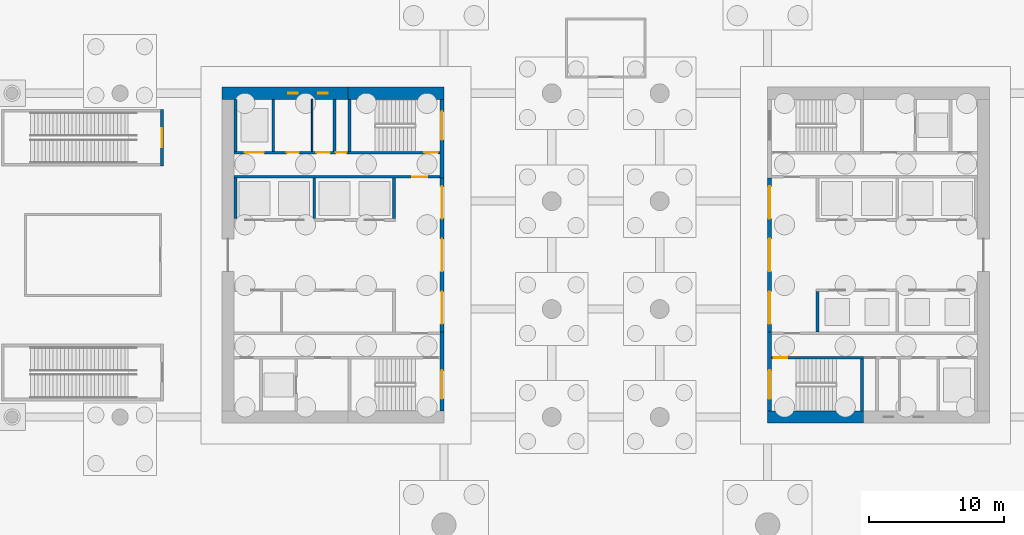
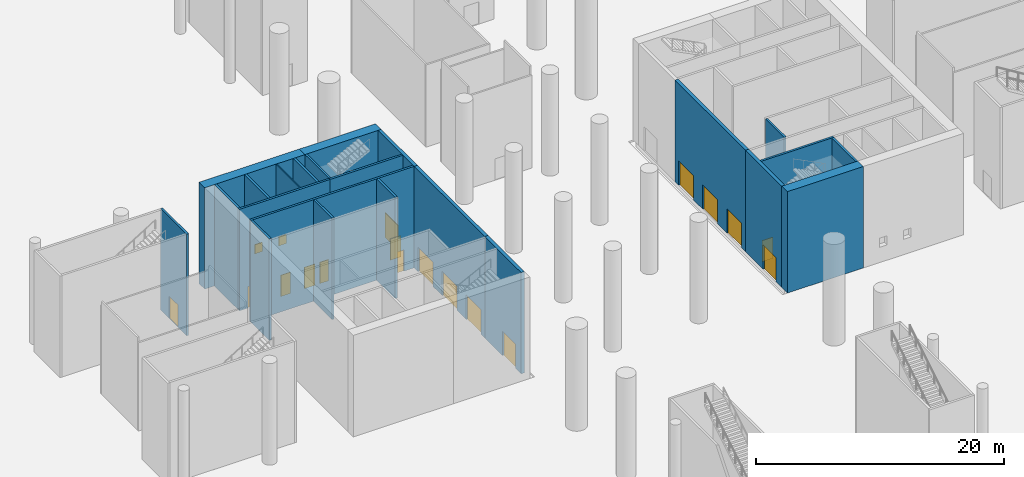
# One storey, part 5 of 14: 23 walls, 17 doors, 2 windows, 19 openings.
"""IFC4 building model written with IfcOpenShell, lengths in metres."""

from ifc_helpers import new_model, si_unit, direction, frame, frame_2d, origin, place, context, subcontext, project, spatial, rectangle, extrude, material, layer, layer_set, constituent, constituent_set, type_object, element, fill, save


model = new_model("IFC4")

# Units and contexts
model_context = context("Model", 3, precision=1e-05, world=origin(), true_north=direction((0.0, 1.0)))
body_context = subcontext(model_context, "Body", "Model", "MODEL_VIEW")
ifc_project = project(units=[si_unit("LENGTHUNIT", "METRE"), si_unit("AREAUNIT", "SQUARE_METRE"), si_unit("VOLUMEUNIT", "CUBIC_METRE"), si_unit("PLANEANGLEUNIT", "RADIAN"), si_unit("MASSUNIT", "GRAM", prefix="KILO")], contexts=[model_context])

# Site, building, storey
site_placement = place(None, origin())
site = spatial("IfcSite", under=ifc_project, at=site_placement, CompositionType="ELEMENT")
building_placement = place(site_placement, origin())
building = spatial("IfcBuilding", under=site, at=building_placement, Name="Crosswind Convention Tower", CompositionType="ELEMENT")
storey_placement = place(building_placement, origin())
storey = spatial("IfcBuildingStorey", under=building, at=storey_placement, Name="L00", CompositionType="ELEMENT", Elevation=0.0)

# Wall
ifc_material_1 = material(Name="Concrete blockwork", Category="masonry")
ifc_layer_1 = layer(ifc_material_1, 0.199951171875)
ifc_layer_set_1 = layer_set([ifc_layer_1], Name="Blockwork partition wall 200")
wall_type_1 = type_object("IfcWallType", Name="Blockwork partition wall 200", PredefinedType="PARTITIONING", material=ifc_layer_set_1)
wall_1_placement = place(storey_placement, frame((104.89990234375, 111.550048828125, 0.0), z_axis=(0.0, 0.0, 1.0), x_axis=(0.0, -1.0, 0.0)))
element("IfcWall", 1, at=wall_1_placement, inside=storey, type_object=wall_type_1, Name="Wall MRSE W L00", PredefinedType="PARTITIONING", context=body_context, shape_type="SweptSolid", body=[
    extrude(rectangle(XDim=3.85009765625, YDim=0.199951171875, at=frame_2d((1.925048828125, 0.0))), origin(), (0.0, 0.0, 1.0), 10.0),
])

# Wall, openings, doors
ifc_material_2 = material(Name="Concrete C50/60", Category="concrete")
ifc_layer_2 = layer(ifc_material_2, 0.300048828125)
ifc_layer_set_2 = layer_set([ifc_layer_2], Name="Concrete C50/60")
wall_type_2 = type_object("IfcWallType", Name="Concrete inner core wall 300", PredefinedType="SHEAR", material=ifc_layer_set_2)
wall_2_placement = place(storey_placement, frame((137.14990234375, 94.300048828125, 0.0), z_axis=(0.0, 0.0, 1.0), x_axis=(0.0, 1.0, 0.0)))
wall_2 = element("IfcWall", 2, at=wall_2_placement, inside=storey, type_object=wall_type_2, Name="Wall SCR E L00", PredefinedType="SHEAR", context=body_context, shape_type="SweptSolid", body=[
    extrude(rectangle(XDim=11.39990234375, YDim=0.300048828125, at=frame_2d((5.699951171875, 0.0))), origin(), (0.0, 0.0, 1.0), 10.0),
])
opening_1_placement = place(wall_2_placement, frame((0.60009765625, 0.0, 0.0)))
opening_1 = element("IfcOpeningElement", 3, at=opening_1_placement, cuts=wall_2, Name="Opening D100", PredefinedType="OPENING", context=body_context, shape_type="SweptSolid", body=[
    extrude(rectangle(XDim=2.39990234375, YDim=2.39990234375, at=frame_2d((1.199951171875, 1.199951171875))), frame((0.0, 0.159912109375, 0.0), z_axis=(0.0, -1.0, 0.0), x_axis=(1.0, 0.0, 0.0)), (0.0, 0.0, 1.0), 0.320068359375),
])
opening_2_placement = place(wall_2_placement, frame((4.5, 0.0, 0.0)))
opening_2 = element("IfcOpeningElement", 4, at=opening_2_placement, cuts=wall_2, Name="Opening D100", PredefinedType="OPENING", context=body_context, shape_type="SweptSolid", body=[
    extrude(rectangle(XDim=2.39990234375, YDim=2.39990234375, at=frame_2d((1.199951171875, 1.199951171875))), frame((0.0, 0.159912109375, 0.0), z_axis=(0.0, -1.0, 0.0), x_axis=(1.0, 0.0, 0.0)), (0.0, 0.0, 1.0), 0.320068359375),
])
opening_3_placement = place(wall_2_placement, frame((8.39990234375, 0.0, 0.0)))
opening_3 = element("IfcOpeningElement", 5, at=opening_3_placement, cuts=wall_2, Name="Opening D100", PredefinedType="OPENING", context=body_context, shape_type="SweptSolid", body=[
    extrude(rectangle(XDim=2.39990234375, YDim=2.39990234375, at=frame_2d((1.199951171875, 1.199951171875))), frame((0.0, 0.159912109375, 0.0), z_axis=(0.0, -1.0, 0.0), x_axis=(1.0, 0.0, 0.0)), (0.0, 0.0, 1.0), 0.320068359375),
])
ifc_material_3 = material(Name="Steel fire door with glazed vision panels", Category="steel")
door_type_1 = type_object("IfcDoorType", Name="Fire-rated double door 2400x2400", OperationType="DOUBLE_DOOR_SINGLE_SWING", PredefinedType="DOOR", material=ifc_material_3)
door_1_placement = place(opening_1_placement, origin())
door_1 = element("IfcDoor", 6, at=door_1_placement, inside=storey, type_object=door_type_1, Name="Lobby door 1 L00", ObjectType="D100", OperationType="DOUBLE_DOOR_SINGLE_SWING", OverallHeight=2.39990234375, OverallWidth=2.39990234375, PredefinedType="DOOR", context=body_context, shape_type="SweptSolid", body=[
    extrude(rectangle(XDim=2.39990234375, YDim=2.39990234375, at=frame_2d((1.199951171875, 1.199951171875))), frame((0.0, 0.02490234375, 0.0), z_axis=(0.0, -1.0, 0.0), x_axis=(1.0, 0.0, 0.0)), (0.0, 0.0, 1.0), 0.050048828125),
])
fill(opening_1, door_1)
door_2_placement = place(opening_2_placement, origin())
door_2 = element("IfcDoor", 7, at=door_2_placement, inside=storey, type_object=door_type_1, Name="Lobby door 2 L00", ObjectType="D100", OperationType="DOUBLE_DOOR_SINGLE_SWING", OverallHeight=2.39990234375, OverallWidth=2.39990234375, PredefinedType="DOOR", context=body_context, shape_type="SweptSolid", body=[
    extrude(rectangle(XDim=2.39990234375, YDim=2.39990234375, at=frame_2d((1.199951171875, 1.199951171875))), frame((0.0, 0.02490234375, 0.0), z_axis=(0.0, -1.0, 0.0), x_axis=(1.0, 0.0, 0.0)), (0.0, 0.0, 1.0), 0.050048828125),
])
fill(opening_2, door_2)
door_3_placement = place(opening_3_placement, origin())
door_3 = element("IfcDoor", 8, at=door_3_placement, inside=storey, type_object=door_type_1, Name="Lobby door 3 L00", ObjectType="D100", OperationType="DOUBLE_DOOR_SINGLE_SWING", OverallHeight=2.39990234375, OverallWidth=2.39990234375, PredefinedType="DOOR", context=body_context, shape_type="SweptSolid", body=[
    extrude(rectangle(XDim=2.39990234375, YDim=2.39990234375, at=frame_2d((1.199951171875, 1.199951171875))), frame((0.0, 0.02490234375, 0.0), z_axis=(0.0, -1.0, 0.0), x_axis=(1.0, 0.0, 0.0)), (0.0, 0.0, 1.0), 0.050048828125),
])
fill(opening_3, door_3)

# Wall, opening, door
wall_3_placement = place(storey_placement, frame((137.14990234375, 88.449951171875, 0.0), z_axis=(0.0, 0.0, 1.0), x_axis=(0.0, 1.0, 0.0)))
wall_3 = element("IfcWall", 9, at=wall_3_placement, inside=storey, type_object=wall_type_2, Name="Wall EM E L00", PredefinedType="SHEAR", context=body_context, shape_type="SweptSolid", body=[
    extrude(rectangle(XDim=5.85009765625, YDim=0.300048828125, at=frame_2d((2.925048828125, 0.0))), origin(), (0.0, 0.0, 1.0), 10.0),
])
opening_4_placement = place(wall_3_placement, frame((0.89990234375, 0.0, 0.0)))
opening_4 = element("IfcOpeningElement", 10, at=opening_4_placement, cuts=wall_3, Name="Opening D107", PredefinedType="OPENING", context=body_context, shape_type="SweptSolid", body=[
    extrude(rectangle(XDim=2.10009765625, YDim=2.39990234375, at=frame_2d((1.050048828125, 1.199951171875))), frame((0.0, 0.159912109375, 0.0), z_axis=(0.0, -1.0, 0.0), x_axis=(1.0, 0.0, 0.0)), (0.0, 0.0, 1.0), 0.320068359375),
])
door_type_2 = type_object("IfcDoorType", Name="Stair discharge double door 2100x2400", OperationType="DOUBLE_DOOR_SINGLE_SWING", PredefinedType="DOOR", material=ifc_material_3)
door_4_placement = place(opening_4_placement, origin())
door_4 = element("IfcDoor", 11, at=door_4_placement, inside=storey, type_object=door_type_2, Name="Stair ST2 discharge door L00", ObjectType="D107", OperationType="DOUBLE_DOOR_SINGLE_SWING", OverallHeight=2.39990234375, OverallWidth=2.10009765625, PredefinedType="DOOR", context=body_context, shape_type="SweptSolid", body=[
    extrude(rectangle(XDim=2.10009765625, YDim=2.39990234375, at=frame_2d((1.050048828125, 1.199951171875))), frame((0.0, 0.02490234375, 0.0), z_axis=(0.0, -1.0, 0.0), x_axis=(1.0, 0.0, 0.0)), (0.0, 0.0, 1.0), 0.050048828125),
])
fill(opening_4, door_4)

# Wall, openings, doors
wall_4_placement = place(storey_placement, frame((112.85009765625, 105.699951171875, 0.0), z_axis=(0.0, 0.0, 1.0), x_axis=(0.0, -1.0, 0.0)))
wall_4 = element("IfcWall", 12, at=wall_4_placement, inside=storey, type_object=wall_type_2, Name="Wall SCR W L00", PredefinedType="SHEAR", context=body_context, shape_type="SweptSolid", body=[
    extrude(rectangle(XDim=11.39990234375, YDim=0.300048828125, at=frame_2d((5.699951171875, 0.0))), origin(), (0.0, 0.0, 1.0), 10.0),
])
opening_5_placement = place(wall_4_placement, frame((0.60009765625, 0.0, 0.0)))
opening_5 = element("IfcOpeningElement", 13, at=opening_5_placement, cuts=wall_4, Name="Opening D100", PredefinedType="OPENING", context=body_context, shape_type="SweptSolid", body=[
    extrude(rectangle(XDim=2.39990234375, YDim=2.39990234375, at=frame_2d((1.199951171875, 1.199951171875))), frame((0.0, 0.159912109375, 0.0), z_axis=(0.0, -1.0, 0.0), x_axis=(1.0, 0.0, 0.0)), (0.0, 0.0, 1.0), 0.320068359375),
])
opening_6_placement = place(wall_4_placement, frame((4.5, 0.0, 0.0)))
opening_6 = element("IfcOpeningElement", 14, at=opening_6_placement, cuts=wall_4, Name="Opening D100", PredefinedType="OPENING", context=body_context, shape_type="SweptSolid", body=[
    extrude(rectangle(XDim=2.39990234375, YDim=2.39990234375, at=frame_2d((1.199951171875, 1.199951171875))), frame((0.0, 0.159912109375, 0.0), z_axis=(0.0, -1.0, 0.0), x_axis=(1.0, 0.0, 0.0)), (0.0, 0.0, 1.0), 0.320068359375),
])
opening_7_placement = place(wall_4_placement, frame((8.39990234375, 0.0, 0.0)))
opening_7 = element("IfcOpeningElement", 15, at=opening_7_placement, cuts=wall_4, Name="Opening D100", PredefinedType="OPENING", context=body_context, shape_type="SweptSolid", body=[
    extrude(rectangle(XDim=2.39990234375, YDim=2.39990234375, at=frame_2d((1.199951171875, 1.199951171875))), frame((0.0, 0.159912109375, 0.0), z_axis=(0.0, -1.0, 0.0), x_axis=(1.0, 0.0, 0.0)), (0.0, 0.0, 1.0), 0.320068359375),
])
door_5_placement = place(opening_5_placement, origin())
door_5 = element("IfcDoor", 16, at=door_5_placement, inside=storey, type_object=door_type_1, Name="Lobby door 1 L00", ObjectType="D100", OperationType="DOUBLE_DOOR_SINGLE_SWING", OverallHeight=2.39990234375, OverallWidth=2.39990234375, PredefinedType="DOOR", context=body_context, shape_type="SweptSolid", body=[
    extrude(rectangle(XDim=2.39990234375, YDim=2.39990234375, at=frame_2d((1.199951171875, 1.199951171875))), frame((0.0, 0.02490234375, 0.0), z_axis=(0.0, -1.0, 0.0), x_axis=(1.0, 0.0, 0.0)), (0.0, 0.0, 1.0), 0.050048828125),
])
fill(opening_5, door_5)
door_6_placement = place(opening_6_placement, origin())
door_6 = element("IfcDoor", 17, at=door_6_placement, inside=storey, type_object=door_type_1, Name="Lobby door 2 L00", ObjectType="D100", OperationType="DOUBLE_DOOR_SINGLE_SWING", OverallHeight=2.39990234375, OverallWidth=2.39990234375, PredefinedType="DOOR", context=body_context, shape_type="SweptSolid", body=[
    extrude(rectangle(XDim=2.39990234375, YDim=2.39990234375, at=frame_2d((1.199951171875, 1.199951171875))), frame((0.0, 0.02490234375, 0.0), z_axis=(0.0, -1.0, 0.0), x_axis=(1.0, 0.0, 0.0)), (0.0, 0.0, 1.0), 0.050048828125),
])
fill(opening_6, door_6)
door_7_placement = place(opening_7_placement, origin())
door_7 = element("IfcDoor", 18, at=door_7_placement, inside=storey, type_object=door_type_1, Name="Lobby door 3 L00", ObjectType="D100", OperationType="DOUBLE_DOOR_SINGLE_SWING", OverallHeight=2.39990234375, OverallWidth=2.39990234375, PredefinedType="DOOR", context=body_context, shape_type="SweptSolid", body=[
    extrude(rectangle(XDim=2.39990234375, YDim=2.39990234375, at=frame_2d((1.199951171875, 1.199951171875))), frame((0.0, 0.02490234375, 0.0), z_axis=(0.0, -1.0, 0.0), x_axis=(1.0, 0.0, 0.0)), (0.0, 0.0, 1.0), 0.050048828125),
])
fill(opening_7, door_7)

# Wall, opening, door
wall_5_placement = place(storey_placement, frame((112.85009765625, 94.300048828125, 0.0), z_axis=(0.0, 0.0, 1.0), x_axis=(0.0, -1.0, 0.0)))
wall_5 = element("IfcWall", 19, at=wall_5_placement, inside=storey, type_object=wall_type_2, Name="Wall EP W L00", PredefinedType="SHEAR", context=body_context, shape_type="SweptSolid", body=[
    extrude(rectangle(XDim=5.85009765625, YDim=0.300048828125, at=frame_2d((2.925048828125, 0.0))), origin(), (0.0, 0.0, 1.0), 10.0),
])
opening_8_placement = place(wall_5_placement, frame((2.85009765625, 0.0, 0.0)))
opening_8 = element("IfcOpeningElement", 20, at=opening_8_placement, cuts=wall_5, Name="Opening D107", PredefinedType="OPENING", context=body_context, shape_type="SweptSolid", body=[
    extrude(rectangle(XDim=2.10009765625, YDim=2.39990234375, at=frame_2d((1.050048828125, 1.199951171875))), frame((0.0, 0.159912109375, 0.0), z_axis=(0.0, -1.0, 0.0), x_axis=(1.0, 0.0, 0.0)), (0.0, 0.0, 1.0), 0.320068359375),
])
door_8_placement = place(opening_8_placement, origin())
door_8 = element("IfcDoor", 21, at=door_8_placement, inside=storey, type_object=door_type_2, Name="Stair ST3 discharge door L00", ObjectType="D107", OperationType="DOUBLE_DOOR_SINGLE_SWING", OverallHeight=2.39990234375, OverallWidth=2.10009765625, PredefinedType="DOOR", context=body_context, shape_type="SweptSolid", body=[
    extrude(rectangle(XDim=2.10009765625, YDim=2.39990234375, at=frame_2d((1.050048828125, 1.199951171875))), frame((0.0, 0.02490234375, 0.0), z_axis=(0.0, -1.0, 0.0), x_axis=(1.0, 0.0, 0.0)), (0.0, 0.0, 1.0), 0.050048828125),
])
fill(opening_8, door_8)

wall_6_placement = place(storey_placement, frame((112.85009765625, 111.550048828125, 0.0), z_axis=(0.0, 0.0, 1.0), x_axis=(0.0, -1.0, 0.0)))
wall_6 = element("IfcWall", 22, at=wall_6_placement, inside=storey, type_object=wall_type_2, Name="Wall EM W L00", PredefinedType="SHEAR", context=body_context, shape_type="SweptSolid", body=[
    extrude(rectangle(XDim=5.85009765625, YDim=0.300048828125, at=frame_2d((2.925048828125, 0.0))), origin(), (0.0, 0.0, 1.0), 10.0),
])
opening_9_placement = place(wall_6_placement, frame((0.89990234375, 0.0, 0.0)))
opening_9 = element("IfcOpeningElement", 23, at=opening_9_placement, cuts=wall_6, Name="Opening D107", PredefinedType="OPENING", context=body_context, shape_type="SweptSolid", body=[
    extrude(rectangle(XDim=2.10009765625, YDim=2.39990234375, at=frame_2d((1.050048828125, 1.199951171875))), frame((0.0, 0.159912109375, 0.0), z_axis=(0.0, -1.0, 0.0), x_axis=(1.0, 0.0, 0.0)), (0.0, 0.0, 1.0), 0.320068359375),
])
door_9_placement = place(opening_9_placement, origin())
door_9 = element("IfcDoor", 24, at=door_9_placement, inside=storey, type_object=door_type_2, Name="Stair ST4 discharge door L00", ObjectType="D107", OperationType="DOUBLE_DOOR_SINGLE_SWING", OverallHeight=2.39990234375, OverallWidth=2.10009765625, PredefinedType="DOOR", context=body_context, shape_type="SweptSolid", body=[
    extrude(rectangle(XDim=2.10009765625, YDim=2.39990234375, at=frame_2d((1.050048828125, 1.199951171875))), frame((0.0, 0.02490234375, 0.0), z_axis=(0.0, -1.0, 0.0), x_axis=(1.0, 0.0, 0.0)), (0.0, 0.0, 1.0), 0.050048828125),
])
fill(opening_9, door_9)

# Walls
ifc_layer_3 = layer(ifc_material_2, 0.199951171875)
ifc_layer_set_3 = layer_set([ifc_layer_3], Name="Concrete C50/60")
wall_type_3 = type_object("IfcWallType", Name="Concrete shaft and stair wall 200", PredefinedType="SHEAR", material=ifc_layer_set_3)
wall_7_placement = place(storey_placement, frame((140.699951171875, 94.300048828125, 0.0), z_axis=(0.0, 0.0, 1.0), x_axis=(0.0, 1.0, 0.0)))
element("IfcWall", 25, at=wall_7_placement, inside=storey, type_object=wall_type_3, Name="Wall RMEND E L00", PredefinedType="SHEAR", context=body_context, shape_type="SweptSolid", body=[
    extrude(rectangle(XDim=3.0, YDim=0.199951171875, at=frame_2d((1.5, 0.0))), origin(), (0.0, 0.0, 1.0), 10.0),
])
wall_8_placement = place(storey_placement, frame((144.0, 88.449951171875, 0.0), z_axis=(0.0, 0.0, 1.0), x_axis=(0.0, 1.0, 0.0)))
element("IfcWall", 26, at=wall_8_placement, inside=storey, type_object=wall_type_3, Name="Wall MSE E L00", PredefinedType="SHEAR", context=body_context, shape_type="SweptSolid", body=[
    extrude(rectangle(XDim=3.85009765625, YDim=0.199951171875, at=frame_2d((1.925048828125, 0.0))), origin(), (0.0, 0.0, 1.0), 10.0),
])

# Wall, opening, door
wall_9_placement = place(storey_placement, frame((137.300048828125, 92.39990234375, 0.0), z_axis=(0.0, 0.0, 1.0), x_axis=(1.0, 0.0, 0.0)))
wall_9 = element("IfcWall", 27, at=wall_9_placement, inside=storey, type_object=wall_type_3, Name="Wall MCW E L00", PredefinedType="SHEAR", context=body_context, shape_type="SweptSolid", body=[
    extrude(rectangle(XDim=6.800048828125, YDim=0.199951171875, at=frame_2d((3.39990234375, 0.0))), origin(), (0.0, 0.0, 1.0), 10.0),
])
opening_10_placement = place(wall_9_placement, frame((0.14990234375, 0.0, 0.0)))
opening_10 = element("IfcOpeningElement", 28, at=opening_10_placement, cuts=wall_9, Name="Opening D103", PredefinedType="OPENING", context=body_context, shape_type="SweptSolid", body=[
    extrude(rectangle(XDim=1.0, YDim=2.10009765625, at=frame_2d((0.5, 1.050048828125))), frame((0.0, 0.10986328125, 0.0), z_axis=(0.0, -1.0, 0.0), x_axis=(1.0, 0.0, 0.0)), (0.0, 0.0, 1.0), 0.219970703125),
])
ifc_material_4 = material(Name="Steel fire door", Category="steel")
door_type_3 = type_object("IfcDoorType", Name="Fire-rated single door 1000x2100", OperationType="NOTDEFINED", PredefinedType="DOOR", material=ifc_material_4)
door_10_placement = place(opening_10_placement, frame((1.0, 0.0, 0.0), z_axis=(0.0, 0.0, 1.0), x_axis=(-1.0, 0.0, 0.0)))
door_10 = element("IfcDoor", 29, at=door_10_placement, inside=storey, type_object=door_type_3, Name="Stair ST2 door L00", ObjectType="D103", OperationType="SINGLE_SWING_RIGHT", OverallHeight=2.10009765625, OverallWidth=1.0, PredefinedType="DOOR", context=body_context, shape_type="SweptSolid", body=[
    extrude(rectangle(XDim=1.0, YDim=2.10009765625, at=frame_2d((0.5, 1.050048828125))), frame((0.0, 0.02490234375, 0.0), z_axis=(0.0, -1.0, 0.0), x_axis=(1.0, 0.0, 0.0)), (0.0, 0.0, 1.0), 0.050048828125),
])
fill(opening_10, door_10)

# Walls
for number, where, z_axis, x_axis, name in (
    (30, (109.300048828125, 105.699951171875, 0.0), (0.0, 0.0, 1.0), (0.0, -1.0, 0.0), "Wall RMEND W L00"),
    (31, (103.39990234375, 105.699951171875, 0.0), (0.0, 0.0, 1.0), (0.0, -1.0, 0.0), "Wall RMSEP W L00"),
    (32, (97.550048828125, 105.699951171875, 0.0), (0.0, 0.0, 1.0), (0.0, -1.0, 0.0), "Wall RMEAST W L00"),
):
    element("IfcWall", number, at=place(storey_placement, frame(where, z_axis=z_axis, x_axis=x_axis)), inside=storey, type_object=wall_type_3, Name=name, PredefinedType="SHEAR", context=body_context, shape_type="SweptSolid", body=[
        extrude(rectangle(XDim=3.0, YDim=0.199951171875, at=frame_2d((1.5, 0.0))), origin(), (0.0, 0.0, 1.0), 10.0),
    ])

# Wall, opening, door
wall_10_placement = place(storey_placement, frame((112.699951171875, 105.800048828125, 0.0), z_axis=(0.0, 0.0, 1.0), x_axis=(-1.0, 0.0, 0.0)))
wall_10 = element("IfcWall", 33, at=wall_10_placement, inside=storey, type_object=wall_type_3, Name="Wall HM W L00", PredefinedType="SHEAR", context=body_context, shape_type="SweptSolid", body=[
    extrude(rectangle(XDim=15.25, YDim=0.199951171875, at=frame_2d((7.625, 0.0))), origin(), (0.0, 0.0, 1.0), 10.0),
])
opening_11_placement = place(wall_10_placement, frame((0.949951171875, 0.0, 0.0)))
opening_11 = element("IfcOpeningElement", 34, at=opening_11_placement, cuts=wall_10, Name="Opening D104", PredefinedType="OPENING", context=body_context, shape_type="SweptSolid", body=[
    extrude(rectangle(XDim=1.10009765625, YDim=2.10009765625, at=frame_2d((0.550048828125, 1.050048828125))), frame((0.0, 0.10986328125, 0.0), z_axis=(0.0, -1.0, 0.0), x_axis=(1.0, 0.0, 0.0)), (0.0, 0.0, 1.0), 0.219970703125),
])
door_type_4 = type_object("IfcDoorType", Name="Fire-rated single door 1100x2100", OperationType="NOTDEFINED", PredefinedType="DOOR", material=ifc_material_4)
door_11_placement = place(opening_11_placement, frame((1.10009765625, 0.0, 0.0), z_axis=(0.0, 0.0, 1.0), x_axis=(-1.0, 0.0, 0.0)))
door_11 = element("IfcDoor", 35, at=door_11_placement, inside=storey, type_object=door_type_4, Name="Corridor door L00", ObjectType="D104", OperationType="SINGLE_SWING_RIGHT", OverallHeight=2.10009765625, OverallWidth=1.10009765625, PredefinedType="DOOR", context=body_context, shape_type="SweptSolid", body=[
    extrude(rectangle(XDim=1.10009765625, YDim=2.10009765625, at=frame_2d((0.550048828125, 1.050048828125))), frame((0.0, 0.02490234375, 0.0), z_axis=(0.0, -1.0, 0.0), x_axis=(1.0, 0.0, 0.0)), (0.0, 0.0, 1.0), 0.050048828125),
])
fill(opening_11, door_11)

# Walls
for number, where, z_axis, x_axis, name in (
    (36, (106.0, 111.550048828125, 0.0), (0.0, 0.0, 1.0), (0.0, -1.0, 0.0), "Wall MSE W L00"),
    (37, (100.35009765625, 111.550048828125, 0.0), (0.0, 0.0, 1.0), (0.0, -1.0, 0.0), "Wall MFSW W L00"),
    (38, (97.550048828125, 111.550048828125, 0.0), (0.0, 0.0, 1.0), (0.0, -1.0, 0.0), "Wall MFSE W L00"),
):
    element("IfcWall", number, at=place(storey_placement, frame(where, z_axis=z_axis, x_axis=x_axis)), inside=storey, type_object=wall_type_3, Name=name, PredefinedType="SHEAR", context=body_context, shape_type="SweptSolid", body=[
        extrude(rectangle(XDim=3.85009765625, YDim=0.199951171875, at=frame_2d((1.925048828125, 0.0))), origin(), (0.0, 0.0, 1.0), 10.0),
    ])

# Wall, opening, door
wall_11_placement = place(storey_placement, frame((112.699951171875, 107.60009765625, 0.0), z_axis=(0.0, 0.0, 1.0), x_axis=(-1.0, 0.0, 0.0)))
wall_11 = element("IfcWall", 39, at=wall_11_placement, inside=storey, type_object=wall_type_3, Name="Wall MCW W L00", PredefinedType="SHEAR", context=body_context, shape_type="SweptSolid", body=[
    extrude(rectangle(XDim=6.800048828125, YDim=0.199951171875, at=frame_2d((3.39990234375, 0.0))), origin(), (0.0, 0.0, 1.0), 10.0),
])
opening_12_placement = place(wall_11_placement, frame((0.14990234375, 0.0, 0.0)))
opening_12 = element("IfcOpeningElement", 40, at=opening_12_placement, cuts=wall_11, Name="Opening D103", PredefinedType="OPENING", context=body_context, shape_type="SweptSolid", body=[
    extrude(rectangle(XDim=1.0, YDim=2.10009765625, at=frame_2d((0.5, 1.050048828125))), frame((0.0, 0.10986328125, 0.0), z_axis=(0.0, -1.0, 0.0), x_axis=(1.0, 0.0, 0.0)), (0.0, 0.0, 1.0), 0.219970703125),
])
door_12_placement = place(opening_12_placement, frame((1.0, 0.0, 0.0), z_axis=(0.0, 0.0, 1.0), x_axis=(-1.0, 0.0, 0.0)))
door_12 = element("IfcDoor", 41, at=door_12_placement, inside=storey, type_object=door_type_3, Name="Stair ST4 door L00", ObjectType="D103", OperationType="SINGLE_SWING_RIGHT", OverallHeight=2.10009765625, OverallWidth=1.0, PredefinedType="DOOR", context=body_context, shape_type="SweptSolid", body=[
    extrude(rectangle(XDim=1.0, YDim=2.10009765625, at=frame_2d((0.5, 1.050048828125))), frame((0.0, 0.02490234375, 0.0), z_axis=(0.0, -1.0, 0.0), x_axis=(1.0, 0.0, 0.0)), (0.0, 0.0, 1.0), 0.050048828125),
])
fill(opening_12, door_12)

# Wall, openings, doors
wall_12_placement = place(storey_placement, frame((105.89990234375, 107.60009765625, 0.0), z_axis=(0.0, 0.0, 1.0), x_axis=(-1.0, 0.0, 0.0)))
wall_12 = element("IfcWall", 42, at=wall_12_placement, inside=storey, type_object=wall_type_3, Name="Wall MCX W L00", PredefinedType="SHEAR", context=body_context, shape_type="SweptSolid", body=[
    extrude(rectangle(XDim=8.449951171875, YDim=0.199951171875, at=frame_2d((4.22509765625, 0.0))), origin(), (0.0, 0.0, 1.0), 10.0),
])
opening_13_placement = place(wall_12_placement, frame((0.10009765625, 0.0, 0.0)))
opening_13 = element("IfcOpeningElement", 43, at=opening_13_placement, cuts=wall_12, Name="Opening D105", PredefinedType="OPENING", context=body_context, shape_type="SweptSolid", body=[
    extrude(rectangle(XDim=0.800048828125, YDim=2.10009765625, at=frame_2d((0.39990234375, 1.050048828125))), frame((0.0, 0.10986328125, 0.0), z_axis=(0.0, -1.0, 0.0), x_axis=(1.0, 0.0, 0.0)), (0.0, 0.0, 1.0), 0.219970703125),
])
opening_14_placement = place(wall_12_placement, frame((1.351806640625, 0.0, 0.0)))
opening_14 = element("IfcOpeningElement", 44, at=opening_14_placement, cuts=wall_12, Name="Opening D103", PredefinedType="OPENING", context=body_context, shape_type="SweptSolid", body=[
    extrude(rectangle(XDim=1.0, YDim=2.10009765625, at=frame_2d((0.5, 1.050048828125))), frame((0.0, 0.10986328125, 0.0), z_axis=(0.0, -1.0, 0.0), x_axis=(1.0, 0.0, 0.0)), (0.0, 0.0, 1.0), 0.219970703125),
])
opening_15_placement = place(wall_12_placement, frame((3.63916015625, 0.0, 0.0)))
opening_15 = element("IfcOpeningElement", 45, at=opening_15_placement, cuts=wall_12, Name="Opening D106", PredefinedType="OPENING", context=body_context, shape_type="SweptSolid", body=[
    extrude(rectangle(XDim=0.89990234375, YDim=2.10009765625, at=frame_2d((0.449951171875, 1.050048828125))), frame((0.0, 0.10986328125, 0.0), z_axis=(0.0, -1.0, 0.0), x_axis=(1.0, 0.0, 0.0)), (0.0, 0.0, 1.0), 0.219970703125),
])
opening_16_placement = place(wall_12_placement, frame((6.25, 0.0, 0.0)))
opening_16 = element("IfcOpeningElement", 46, at=opening_16_placement, cuts=wall_12, Name="Opening LD2", PredefinedType="OPENING", context=body_context, shape_type="SweptSolid", body=[
    extrude(rectangle(XDim=1.39990234375, YDim=2.10009765625, at=frame_2d((0.699951171875, 1.050048828125))), frame((0.0, 0.10986328125, 0.0), z_axis=(0.0, -1.0, 0.0), x_axis=(1.0, 0.0, 0.0)), (0.0, 0.0, 1.0), 0.219970703125),
])
door_13_placement = place(opening_14_placement, frame((1.0, 0.0, 0.0), z_axis=(0.0, 0.0, 1.0), x_axis=(-1.0, 0.0, 0.0)))
door_13 = element("IfcDoor", 47, at=door_13_placement, inside=storey, type_object=door_type_3, Name="Door to accessible wc L00", ObjectType="D103", OperationType="SINGLE_SWING_LEFT", OverallHeight=2.10009765625, OverallWidth=1.0, PredefinedType="DOOR", context=body_context, shape_type="SweptSolid", body=[
    extrude(rectangle(XDim=1.0, YDim=2.10009765625, at=frame_2d((0.5, 1.050048828125))), frame((0.0, 0.02490234375, 0.0), z_axis=(0.0, -1.0, 0.0), x_axis=(1.0, 0.0, 0.0)), (0.0, 0.0, 1.0), 0.050048828125),
])
fill(opening_14, door_13)
ifc_material_5 = material(Name="Stainless steel", Category="steel")
door_type_5 = type_object("IfcDoorType", Name="Lift landing door 1400x2100", OperationType="DOUBLE_DOOR_SLIDING", PredefinedType="DOOR", material=ifc_material_5)
door_14_placement = place(opening_16_placement, origin())
door_14 = element("IfcDoor", 48, at=door_14_placement, inside=storey, type_object=door_type_5, Name="Landing door SV2 L00", ObjectType="LD2", OperationType="DOUBLE_DOOR_SLIDING", OverallHeight=2.10009765625, OverallWidth=1.39990234375, PredefinedType="DOOR", context=body_context, shape_type="SweptSolid", body=[
    extrude(rectangle(XDim=1.39990234375, YDim=2.10009765625, at=frame_2d((0.699951171875, 1.050048828125))), frame((0.0, 0.02490234375, 0.0), z_axis=(0.0, -1.0, 0.0), x_axis=(1.0, 0.0, 0.0)), (0.0, 0.0, 1.0), 0.050048828125),
])
fill(opening_16, door_14)
door_type_6 = type_object("IfcDoorType", Name="Riser access door 800x2100", OperationType="NOTDEFINED", PredefinedType="DOOR", material=ifc_material_4)
door_15_placement = place(opening_13_placement, frame((0.800048828125, 0.0, 0.0), z_axis=(0.0, 0.0, 1.0), x_axis=(-1.0, 0.0, 0.0)))
door_15 = element("IfcDoor", 49, at=door_15_placement, inside=storey, type_object=door_type_6, Name="Riser door L00", ObjectType="D105", OperationType="SINGLE_SWING_LEFT", OverallHeight=2.10009765625, OverallWidth=0.800048828125, PredefinedType="DOOR", context=body_context, shape_type="SweptSolid", body=[
    extrude(rectangle(XDim=0.800048828125, YDim=2.10009765625, at=frame_2d((0.39990234375, 1.050048828125))), frame((0.0, 0.02490234375, 0.0), z_axis=(0.0, -1.0, 0.0), x_axis=(1.0, 0.0, 0.0)), (0.0, 0.0, 1.0), 0.050048828125),
])
fill(opening_13, door_15)
ifc_material_6 = material(Name="Timber door", Category="wood")
door_type_7 = type_object("IfcDoorType", Name="Single leaf door 900x2100", OperationType="NOTDEFINED", PredefinedType="DOOR", material=ifc_material_6)
door_16_placement = place(opening_15_placement, frame((0.89990234375, 0.0, 0.0), z_axis=(0.0, 0.0, 1.0), x_axis=(-1.0, 0.0, 0.0)))
door_16 = element("IfcDoor", 50, at=door_16_placement, inside=storey, type_object=door_type_7, Name="Door to public wc L00", ObjectType="D106", OperationType="SINGLE_SWING_LEFT", OverallHeight=2.10009765625, OverallWidth=0.89990234375, PredefinedType="DOOR", context=body_context, shape_type="SweptSolid", body=[
    extrude(rectangle(XDim=0.89990234375, YDim=2.10009765625, at=frame_2d((0.449951171875, 1.050048828125))), frame((0.0, 0.02490234375, 0.0), z_axis=(0.0, -1.0, 0.0), x_axis=(1.0, 0.0, 0.0)), (0.0, 0.0, 1.0), 0.050048828125),
])
fill(opening_15, door_16)

# Wall
ifc_material_7 = material(Name="Gypsum plasterboard partition", Category="gypsum")
ifc_layer_4 = layer(ifc_material_7, 0.125)
ifc_layer_set_4 = layer_set([ifc_layer_4], Name="Drywall partition wall 125")
wall_type_4 = type_object("IfcWallType", Name="Drywall partition wall 125", PredefinedType="PARTITIONING", material=ifc_layer_set_4)
wall_13_placement = place(storey_placement, frame((103.23388671875, 111.550048828125, 0.0), z_axis=(0.0, 0.0, 1.0), x_axis=(0.0, -1.0, 0.0)))
element("IfcWall", 51, at=wall_13_placement, inside=storey, type_object=wall_type_4, Name="Wall MWP1 W L00", PredefinedType="PARTITIONING", context=body_context, shape_type="SweptSolid", body=[
    extrude(rectangle(XDim=3.85009765625, YDim=0.125, at=frame_2d((1.925048828125, 0.0))), origin(), (0.0, 0.0, 1.0), 10.0),
])

# Wall, opening, door
ifc_material_8 = material(Name="Concrete C40/50", Category="concrete")
ifc_layer_5 = layer(ifc_material_8, 0.199951171875)
ifc_layer_set_5 = layer_set([ifc_layer_5], Name="Concrete C40/50")
wall_type_5 = type_object("IfcWallType", Name="STAIR ENCLOSURE WALL 200", PredefinedType="SOLIDWALL", material=ifc_layer_set_5)
wall_14_placement = place(storey_placement, frame((92.10009765625, 106.60009765625, 0.0), z_axis=(0.0, 0.0, 1.0), x_axis=(0.0, 1.0, 0.0)))
wall_14 = element("IfcWall", 52, at=wall_14_placement, inside=storey, type_object=wall_type_5, Name="Stair Enclosure Wall 30", PredefinedType="SOLIDWALL", context=body_context, shape_type="SweptSolid", body=[
    extrude(rectangle(XDim=4.199951171875, YDim=0.199951171875, at=frame_2d((2.10009765625, 0.0))), origin(), (0.0, 0.0, 1.0), 10.0),
])
opening_17_placement = place(wall_14_placement, frame((1.39990234375, 0.0, 0.0)))
opening_17 = element("IfcOpeningElement", 53, at=opening_17_placement, cuts=wall_14, Name="Opening 00.013", PredefinedType="OPENING", context=body_context, shape_type="SweptSolid", body=[
    extrude(rectangle(XDim=1.39990234375, YDim=2.199951171875, at=frame_2d((0.699951171875, 1.10009765625))), frame((0.0, 0.10986328125, 0.0), z_axis=(0.0, -1.0, 0.0), x_axis=(1.0, 0.0, 0.0)), (0.0, 0.0, 1.0), 0.219970703125),
])
door_type_8 = type_object("IfcDoorType", Name="STAIR DISCHARGE DOOR 1400X2200", OperationType="DOUBLE_DOOR_SINGLE_SWING", PredefinedType="DOOR", material=ifc_material_4)
door_17_placement = place(opening_17_placement, frame((1.39990234375, 0.0, 0.0), z_axis=(0.0, 0.0, 1.0), x_axis=(-1.0, 0.0, 0.0)))
door_17 = element("IfcDoor", 54, at=door_17_placement, inside=storey, type_object=door_type_8, Name="Door 00.013", ObjectType="D11", OperationType="DOUBLE_DOOR_SINGLE_SWING", OverallHeight=2.199951171875, OverallWidth=1.39990234375, PredefinedType="DOOR", context=body_context, shape_type="SweptSolid", body=[
    extrude(rectangle(XDim=1.39990234375, YDim=2.199951171875, at=frame_2d((0.699951171875, 1.10009765625))), frame((0.0, 0.02490234375, 0.0), z_axis=(0.0, -1.0, 0.0), x_axis=(1.0, 0.0, 0.0)), (0.0, 0.0, 1.0), 0.050048828125),
])
fill(opening_17, door_17)

# Walls
ifc_material_9 = material(Name="Concrete C60/75", Category="concrete")
ifc_constituent_1 = constituent(ifc_material_9, Name="Structure")
ifc_material_10 = material(Name="Terracotta rainscreen", Category="ceramic")
ifc_constituent_2 = constituent(ifc_material_10, Name="Facing")
ifc_constituent_set = constituent_set(constituents=[ifc_constituent_1, ifc_constituent_2], Name="Concrete C60/75, Terracotta rainscreen")
wall_type_6 = type_object("IfcWallType", Name="Terracotta rainscreen on concrete core wall 900", PredefinedType="SHEAR", material=ifc_constituent_set)
for number, where, z_axis, x_axis, name in (
    (55, (137.0, 88.0, 0.0), (0.0, 0.0, 1.0), (1.0, 0.0, 0.0), "Wall S1 E L00"),
    (56, (113.0, 112.0, 0.0), (0.0, 0.0, 1.0), (-1.0, 0.0, 0.0), "Wall S1 W L00"),
):
    element("IfcWall", number, at=place(storey_placement, frame(where, z_axis=z_axis, x_axis=x_axis)), inside=storey, type_object=wall_type_6, Name=name, PredefinedType="SHEAR", context=body_context, shape_type="SweptSolid", body=[
        extrude(rectangle(XDim=7.10009765625, YDim=0.89990234375, at=frame_2d((3.550048828125, 0.0))), origin(), (0.0, 0.0, 1.0), 10.0),
    ])

# Wall, openings, windows
wall_15_placement = place(storey_placement, frame((105.89990234375, 112.0, 0.0), z_axis=(0.0, 0.0, 1.0), x_axis=(-1.0, 0.0, 0.0)))
wall_15 = element("IfcWall", 57, at=wall_15_placement, inside=storey, type_object=wall_type_6, Name="Wall S2 W L00", PredefinedType="SHEAR", context=body_context, shape_type="SweptSolid", body=[
    extrude(rectangle(XDim=9.349853515625, YDim=0.89990234375, at=frame_2d((4.6748046875, 0.0))), origin(), (0.0, 0.0, 1.0), 10.0),
])
opening_18_placement = place(wall_15_placement, frame((1.501708984375, 0.0, 1.5)))
opening_18 = element("IfcOpeningElement", 58, at=opening_18_placement, cuts=wall_15, Name="Opening W2", PredefinedType="OPENING", context=body_context, shape_type="SweptSolid", body=[
    extrude(rectangle(XDim=0.699951171875, YDim=0.89990234375, at=frame_2d((0.35009765625, 0.449951171875))), frame((0.0, 0.4599609375, 0.0), z_axis=(0.0, -1.0, 0.0), x_axis=(1.0, 0.0, 0.0)), (0.0, 0.0, 1.0), 0.919921875),
])
opening_19_placement = place(wall_15_placement, frame((3.7392578125, 0.0, 1.5)))
opening_19 = element("IfcOpeningElement", 59, at=opening_19_placement, cuts=wall_15, Name="Opening W2", PredefinedType="OPENING", context=body_context, shape_type="SweptSolid", body=[
    extrude(rectangle(XDim=0.699951171875, YDim=0.89990234375, at=frame_2d((0.35009765625, 0.449951171875))), frame((0.0, 0.4599609375, 0.0), z_axis=(0.0, -1.0, 0.0), x_axis=(1.0, 0.0, 0.0)), (0.0, 0.0, 1.0), 0.919921875),
])
ifc_material_11 = material(Name="Obscure glass in aluminium frame", Category="aluminium")
window_type = type_object("IfcWindowType", Name="WC window 700x900", PartitioningType="SINGLE_PANEL", PredefinedType="WINDOW", material=ifc_material_11)
window_1_placement = place(opening_18_placement, origin())
window_1 = element("IfcWindow", 60, at=window_1_placement, inside=storey, type_object=window_type, Name="WC window L00", ObjectType="W2", OverallHeight=0.89990234375, OverallWidth=0.699951171875, PartitioningType="SINGLE_PANEL", PredefinedType="WINDOW", context=body_context, shape_type="SweptSolid", body=[
    extrude(rectangle(XDim=0.699951171875, YDim=0.89990234375, at=frame_2d((0.35009765625, 0.449951171875))), frame((0.0, 0.030029296875, 0.0), z_axis=(0.0, -1.0, 0.0), x_axis=(1.0, 0.0, 0.0)), (0.0, 0.0, 1.0), 0.06005859375),
])
fill(opening_18, window_1)
window_2_placement = place(opening_19_placement, origin())
window_2 = element("IfcWindow", 61, at=window_2_placement, inside=storey, type_object=window_type, Name="WC window L00", ObjectType="W2", OverallHeight=0.89990234375, OverallWidth=0.699951171875, PartitioningType="SINGLE_PANEL", PredefinedType="WINDOW", context=body_context, shape_type="SweptSolid", body=[
    extrude(rectangle(XDim=0.699951171875, YDim=0.89990234375, at=frame_2d((0.35009765625, 0.449951171875))), frame((0.0, 0.030029296875, 0.0), z_axis=(0.0, -1.0, 0.0), x_axis=(1.0, 0.0, 0.0)), (0.0, 0.0, 1.0), 0.06005859375),
])
fill(opening_19, window_2)

save(model, "model.ifc")
